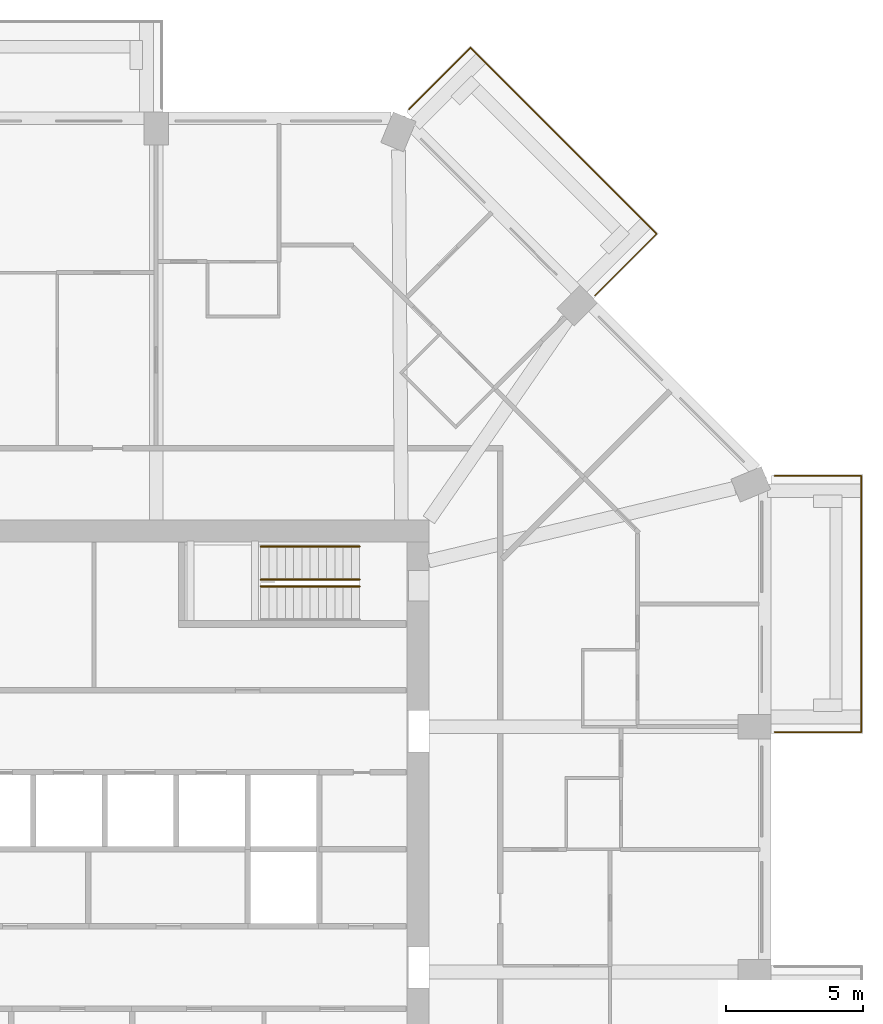
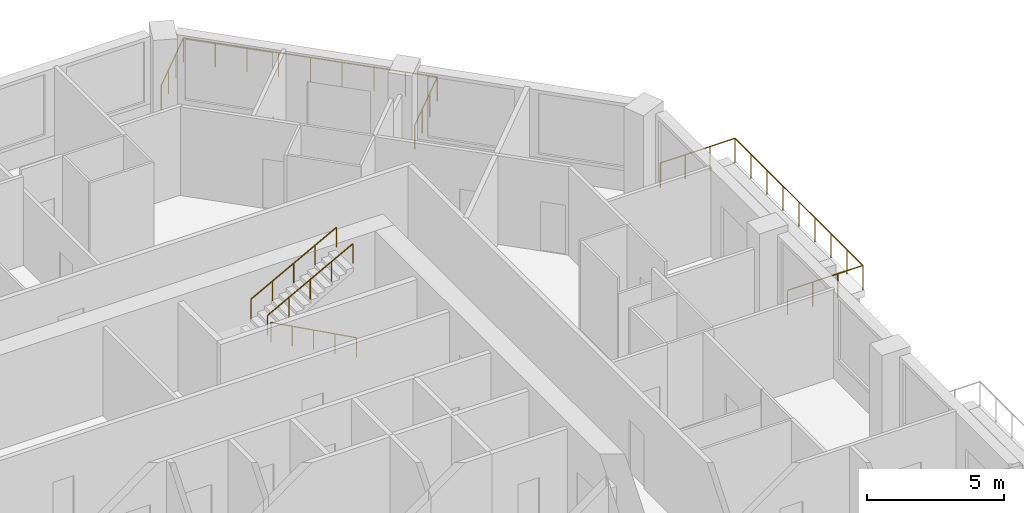
# One storey, part 13 of 13: 5 railings.
"""IFC4 building model written with IfcOpenShell, lengths in metres."""

from ifc_helpers import new_model, si_unit, direction, frame, origin, origin_2d, place, context, subcontext, project, spatial, circle, extrude, material, constituent, constituent_set, type_object, element, save


model = new_model("IFC4")

# Units and contexts
model_context = context("Model", 3, precision=1e-05, world=origin(), true_north=direction((0.0, 1.0)))
body_context = subcontext(model_context, "Body", "Model", "MODEL_VIEW")
ifc_project = project(units=[si_unit("LENGTHUNIT", "METRE"), si_unit("AREAUNIT", "SQUARE_METRE"), si_unit("VOLUMEUNIT", "CUBIC_METRE"), si_unit("PLANEANGLEUNIT", "RADIAN"), si_unit("MASSUNIT", "GRAM", prefix="KILO")], contexts=[model_context])

# Site, building, storey
site_placement = place(None, origin())
site = spatial("IfcSite", under=ifc_project, at=site_placement, CompositionType="ELEMENT")
building_placement = place(site_placement, origin())
building = spatial("IfcBuilding", under=site, at=building_placement, Name="Msitu Wima Residences", CompositionType="ELEMENT")
storey_placement = place(building_placement, frame((0.0, 0.0, 135.89990234375)))
storey = spatial("IfcBuildingStorey", under=building, at=storey_placement, Name="L31", CompositionType="ELEMENT", Elevation=135.89990234375)

# Railings
ifc_material_1 = material(Name="Steel S355", Category="steel")
ifc_constituent_1 = constituent(ifc_material_1, Name="Steel S355")
ifc_material_2 = material(Name="Weathering patina")
ifc_constituent_2 = constituent(ifc_material_2, Name="Weathering patina")
ifc_constituent_set_1 = constituent_set(constituents=[ifc_constituent_1, ifc_constituent_2], Name="Steel S355")
railing_type_1 = type_object("IfcRailingType", Name="Balcony guard GR1100", PredefinedType="GUARDRAIL", material=ifc_constituent_set_1)
railing_1_placement = place(storey_placement, frame((26.97998046875, 13.592041015625, 0.0)))
element("IfcRailing", 1, at=railing_1_placement, inside=storey, type_object=railing_type_1, Name="Balcony guard E2 L31", PredefinedType="GUARDRAIL", context=body_context, shape_type="SweptSolid", body=[
    extrude(circle(Radius=0.02392578125, at=origin_2d()), frame((0.0, 0.0, 1.076171875), z_axis=(0.923276184907, 0.384136806859, 0.0), x_axis=(-0.384136806859, 0.923276184907, 0.0)), (0.0, 0.0, 1.0), 0.0361328125),
    extrude(circle(Radius=0.02392578125, at=origin_2d()), frame((0.033447265625, 0.013916015625, 1.076171875), z_axis=(1.0, 0.0, 0.0), x_axis=(0.0, 1.0, 0.0)), (0.0, 0.0, 1.0), 3.136474609375),
    extrude(circle(Radius=0.02392578125, at=origin_2d()), frame((3.169921875, 0.013916015625, 1.076171875), z_axis=(0.0, -1.0, 0.0), x_axis=(1.0, 0.0, 0.0)), (0.0, 0.0, 1.0), 9.33740234375),
    extrude(circle(Radius=0.02392578125, at=origin_2d()), frame((3.169921875, -9.323486328125, 1.076171875), z_axis=(-1.0, 0.0, 0.0), x_axis=(0.0, -1.0, 0.0)), (0.0, 0.0, 1.0), 3.169921875),
    extrude(circle(Radius=0.02099609375, at=origin_2d()), origin(), (0.0, 0.0, 1.0), 1.052001953125),
    extrude(circle(Radius=0.02099609375, at=origin_2d()), frame((0.033447265625, 0.013916015625, 0.0)), (0.0, 0.0, 1.0), 1.052001953125),
    extrude(circle(Radius=0.02099609375, at=origin_2d()), frame((1.078857421875, 0.013916015625, 0.0)), (0.0, 0.0, 1.0), 1.052001953125),
    extrude(circle(Radius=0.02099609375, at=origin_2d()), frame((2.12451171875, 0.013916015625, 0.0)), (0.0, 0.0, 1.0), 1.052001953125),
    extrude(circle(Radius=0.02099609375, at=origin_2d()), frame((3.169921875, 0.013916015625, 0.0)), (0.0, 0.0, 1.0), 1.052001953125),
    extrude(circle(Radius=0.02099609375, at=origin_2d()), frame((3.169921875, -1.1533203125, 0.0)), (0.0, 0.0, 1.0), 1.052001953125),
    extrude(circle(Radius=0.02099609375, at=origin_2d()), frame((3.169921875, -2.3203125, 0.0)), (0.0, 0.0, 1.0), 1.052001953125),
    extrude(circle(Radius=0.02099609375, at=origin_2d()), frame((3.169921875, -3.487548828125, 0.0)), (0.0, 0.0, 1.0), 1.052001953125),
    extrude(circle(Radius=0.02099609375, at=origin_2d()), frame((3.169921875, -4.65478515625, 0.0)), (0.0, 0.0, 1.0), 1.052001953125),
    extrude(circle(Radius=0.02099609375, at=origin_2d()), frame((3.169921875, -5.822021484375, 0.0)), (0.0, 0.0, 1.0), 1.052001953125),
    extrude(circle(Radius=0.02099609375, at=origin_2d()), frame((3.169921875, -6.9892578125, 0.0)), (0.0, 0.0, 1.0), 1.052001953125),
    extrude(circle(Radius=0.02099609375, at=origin_2d()), frame((3.169921875, -8.15625, 0.0)), (0.0, 0.0, 1.0), 1.052001953125),
    extrude(circle(Radius=0.02099609375, at=origin_2d()), frame((3.169921875, -9.323486328125, 0.0)), (0.0, 0.0, 1.0), 1.052001953125),
    extrude(circle(Radius=0.02099609375, at=origin_2d()), frame((2.11328125, -9.323486328125, 0.0)), (0.0, 0.0, 1.0), 1.052001953125),
    extrude(circle(Radius=0.02099609375, at=origin_2d()), frame((1.056640625, -9.323486328125, 0.0)), (0.0, 0.0, 1.0), 1.052001953125),
    extrude(circle(Radius=0.02099609375, at=origin_2d()), frame((0.0, -9.323486328125, 0.0)), (0.0, 0.0, 1.0), 1.052001953125),
])
railing_2_placement = place(storey_placement, frame((13.684326171875, 26.941650390625, 0.0)))
element("IfcRailing", 2, at=railing_2_placement, inside=storey, type_object=railing_type_1, Name="Balcony guard NE1 L31", PredefinedType="GUARDRAIL", context=body_context, shape_type="SweptSolid", body=[
    extrude(circle(Radius=0.02392578125, at=origin_2d()), frame((0.0, 0.0, 1.076171875), z_axis=(0.38176015442, 0.92426142649, 0.0), x_axis=(-0.92426142649, 0.38176015442, 0.0)), (0.0, 0.0, 1.0), 0.036376953125),
    extrude(circle(Radius=0.02392578125, at=origin_2d()), frame((0.013916015625, 0.03369140625, 1.076171875), z_axis=(0.707106781187, 0.707106781187, 0.0), x_axis=(-0.707106781187, 0.707106781187, 0.0)), (0.0, 0.0, 1.0), 3.136474609375),
    extrude(circle(Radius=0.02392578125, at=origin_2d()), frame((2.231689453125, 2.25146484375, 1.076171875), z_axis=(0.707106781187, -0.707106781187, 0.0), x_axis=(0.707106781187, 0.707106781187, 0.0)), (0.0, 0.0, 1.0), 9.58837890625),
    extrude(circle(Radius=0.02392578125, at=origin_2d()), frame((9.01171875, -4.528564453125, 1.076171875), z_axis=(-0.707106781187, -0.707106781187, 0.0), x_axis=(0.707106781187, -0.707106781187, 0.0)), (0.0, 0.0, 1.0), 3.169921875),
    extrude(circle(Radius=0.02099609375, at=origin_2d()), origin(), (0.0, 0.0, 1.0), 1.052001953125),
    extrude(circle(Radius=0.02099609375, at=origin_2d()), frame((0.013916015625, 0.03369140625, 0.0)), (0.0, 0.0, 1.0), 1.052001953125),
    extrude(circle(Radius=0.02099609375, at=origin_2d()), frame((0.753173828125, 0.77294921875, 0.0)), (0.0, 0.0, 1.0), 1.052001953125),
    extrude(circle(Radius=0.02099609375, at=origin_2d()), frame((1.492431640625, 1.51220703125, 0.0)), (0.0, 0.0, 1.0), 1.052001953125),
    extrude(circle(Radius=0.02099609375, at=origin_2d()), frame((2.231689453125, 2.25146484375, 0.0)), (0.0, 0.0, 1.0), 1.052001953125),
    extrude(circle(Radius=0.02099609375, at=origin_2d()), frame((3.0791015625, 1.404052734375, 0.0)), (0.0, 0.0, 1.0), 1.052001953125),
    extrude(circle(Radius=0.02099609375, at=origin_2d()), frame((3.9267578125, 0.556396484375, 0.0)), (0.0, 0.0, 1.0), 1.052001953125),
    extrude(circle(Radius=0.02099609375, at=origin_2d()), frame((4.774169921875, -0.291015625, 0.0)), (0.0, 0.0, 1.0), 1.052001953125),
    extrude(circle(Radius=0.02099609375, at=origin_2d()), frame((5.62158203125, -1.138671875, 0.0)), (0.0, 0.0, 1.0), 1.052001953125),
    extrude(circle(Radius=0.02099609375, at=origin_2d()), frame((6.46923828125, -1.986083984375, 0.0)), (0.0, 0.0, 1.0), 1.052001953125),
    extrude(circle(Radius=0.02099609375, at=origin_2d()), frame((7.316650390625, -2.83349609375, 0.0)), (0.0, 0.0, 1.0), 1.052001953125),
    extrude(circle(Radius=0.02099609375, at=origin_2d()), frame((8.164306640625, -3.68115234375, 0.0)), (0.0, 0.0, 1.0), 1.052001953125),
    extrude(circle(Radius=0.02099609375, at=origin_2d()), frame((9.01171875, -4.528564453125, 0.0)), (0.0, 0.0, 1.0), 1.052001953125),
    extrude(circle(Radius=0.02099609375, at=origin_2d()), frame((8.2646484375, -5.275634765625, 0.0)), (0.0, 0.0, 1.0), 1.052001953125),
    extrude(circle(Radius=0.02099609375, at=origin_2d()), frame((7.517333984375, -6.02294921875, 0.0)), (0.0, 0.0, 1.0), 1.052001953125),
    extrude(circle(Radius=0.02099609375, at=origin_2d()), frame((6.770263671875, -6.77001953125, 0.0)), (0.0, 0.0, 1.0), 1.052001953125),
])
ifc_constituent_3 = constituent(ifc_material_1, Name="Steel S355")
ifc_material_3 = material(Name="Black powder coating")
ifc_constituent_4 = constituent(ifc_material_3, Name="Black powder coating")
ifc_constituent_set_2 = constituent_set(constituents=[ifc_constituent_3, ifc_constituent_4], Name="Steel S355")
railing_type_2 = type_object("IfcRailingType", Name="Stair handrail HR1", PredefinedType="HANDRAIL", material=ifc_constituent_set_2)
railing_3_placement = place(storey_placement, frame((11.875, 9.574951171875, 0.16162109375)))
element("IfcRailing", 3, at=railing_3_placement, inside=storey, type_object=railing_type_2, Name="Stair 3 handrail", PredefinedType="HANDRAIL", context=body_context, shape_type="SweptSolid", body=[
    extrude(circle(Radius=0.02392578125, at=origin_2d()), frame((0.0, 0.0, 0.8759765625), z_axis=(-0.880474934443, 0.0, 0.474092701714), x_axis=(0.0, -1.0, 0.0)), (0.0, 0.0, 1.0), 4.0888671875),
    extrude(circle(Radius=0.02099609375, at=origin_2d()), origin(), (0.0, 0.0, 1.0), 0.851806640625),
    extrude(circle(Radius=0.02099609375, at=origin_2d()), frame((-0.89990234375, 0.0, 0.484619140625)), (0.0, 0.0, 1.0), 0.851806640625),
    extrude(circle(Radius=0.02099609375, at=origin_2d()), frame((-1.800048828125, 0.0, 0.96923828125)), (0.0, 0.0, 1.0), 0.851806640625),
    extrude(circle(Radius=0.02099609375, at=origin_2d()), frame((-2.7001953125, 0.0, 1.453857421875)), (0.0, 0.0, 1.0), 0.851806640625),
    extrude(circle(Radius=0.02099609375, at=origin_2d()), frame((-3.60009765625, 0.0, 1.9384765625)), (0.0, 0.0, 1.0), 0.851806640625),
])
for number, where, name in (
    (4, (8.27490234375, 9.824951171875, 2.26171875), "Stair 3 handrail"),
    (5, (8.27490234375, 11.02490234375, 2.26171875), "Stair 3 handrail"),
):
    element("IfcRailing", number, at=place(storey_placement, frame(where)), inside=storey, type_object=railing_type_2, Name=name, PredefinedType="HANDRAIL", context=body_context, shape_type="SweptSolid", body=[
        extrude(circle(Radius=0.02392578125, at=origin_2d()), frame((0.0, 0.0, 0.8759765625), z_axis=(0.880474934443, 0.0, 0.474092701714), x_axis=(0.0, 1.0, 0.0)), (0.0, 0.0, 1.0), 4.0888671875),
        extrude(circle(Radius=0.02099609375, at=origin_2d()), origin(), (0.0, 0.0, 1.0), 0.851806640625),
        extrude(circle(Radius=0.02099609375, at=origin_2d()), frame((0.89990234375, 0.0, 0.484619140625)), (0.0, 0.0, 1.0), 0.851806640625),
        extrude(circle(Radius=0.02099609375, at=origin_2d()), frame((1.800048828125, 0.0, 0.96923828125)), (0.0, 0.0, 1.0), 0.851806640625),
        extrude(circle(Radius=0.02099609375, at=origin_2d()), frame((2.7001953125, 0.0, 1.453857421875)), (0.0, 0.0, 1.0), 0.851806640625),
        extrude(circle(Radius=0.02099609375, at=origin_2d()), frame((3.60009765625, 0.0, 1.9384765625)), (0.0, 0.0, 1.0), 0.851806640625),
    ])

save(model, "model.ifc")
